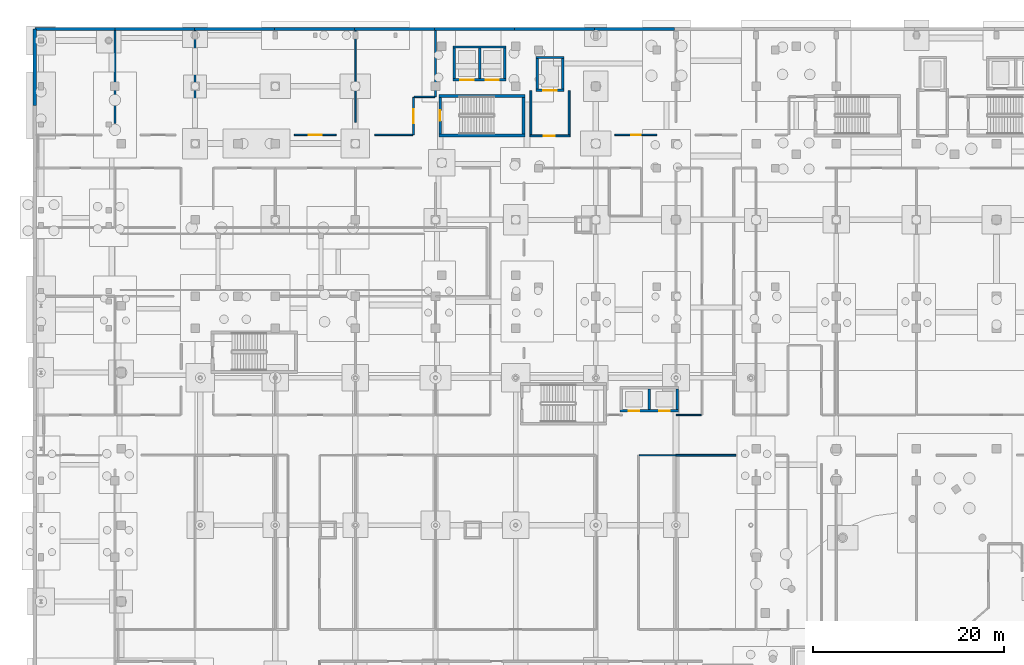
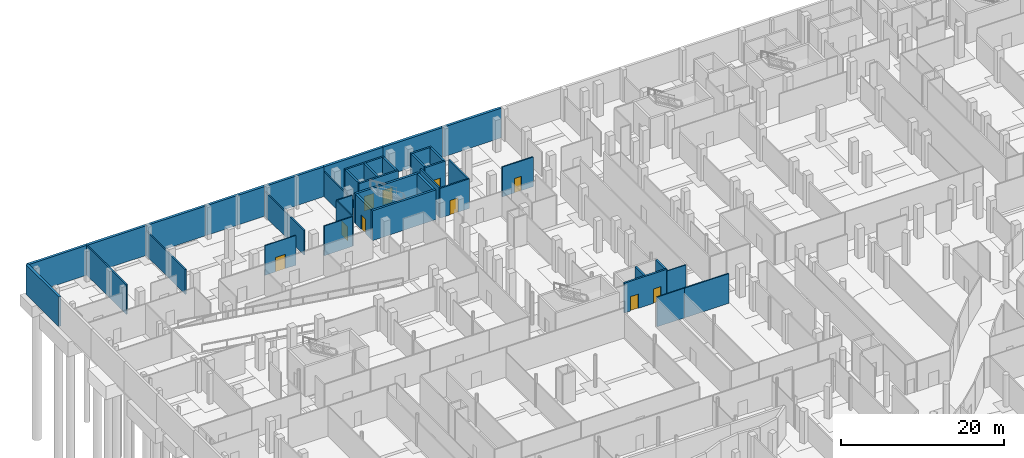
# One storey, part 32 of 45: 40 walls, 10 doors, 10 openings.
"""IFC4 building model written with IfcOpenShell, lengths in metres."""

from ifc_helpers import new_model, si_unit, direction, frame, frame_2d, origin, place, context, subcontext, project, spatial, rectangle, extrude, material, layer, layer_set, type_object, element, fill, save


model = new_model("IFC4")

# Units and contexts
model_context = context("Model", 3, precision=1e-05, world=origin(), true_north=direction((0.0, 1.0)))
body_context = subcontext(model_context, "Body", "Model", "MODEL_VIEW")
ifc_project = project(units=[si_unit("LENGTHUNIT", "METRE"), si_unit("AREAUNIT", "SQUARE_METRE"), si_unit("VOLUMEUNIT", "CUBIC_METRE"), si_unit("PLANEANGLEUNIT", "RADIAN"), si_unit("MASSUNIT", "GRAM", prefix="KILO")], contexts=[model_context])

# Site, building, storey
site_placement = place(None, origin())
site = spatial("IfcSite", under=ifc_project, at=site_placement, CompositionType="ELEMENT")
building_placement = place(site_placement, origin())
building = spatial("IfcBuilding", under=site, at=building_placement, Name="Selatvlak General Hospital", CompositionType="ELEMENT")
storey_placement = place(building_placement, frame((0.0, 0.0, -4.800048828125)))
storey = spatial("IfcBuildingStorey", under=building, at=storey_placement, Name="B1", CompositionType="ELEMENT", Elevation=-4.800048828125)

# Walls
ifc_material_1 = material(Name="Concrete C45/55", Category="concrete")
ifc_layer_1 = layer(ifc_material_1, 0.35009765625, Name="Concrete C45/55", Category="concrete")
ifc_layer_set_1 = layer_set([ifc_layer_1], Name="Concrete C45/55")
wall_type_1 = type_object("IfcWallType", Name="WALL-EW-05", PredefinedType="SHEAR", material=ifc_layer_set_1)
wall_1_placement = place(storey_placement, frame((6.0, 111.9990234375, 0.0), z_axis=(0.0, 0.0, 1.0), x_axis=(0.0, 1.0, 0.0)))
element("IfcWall", 1, at=wall_1_placement, inside=storey, type_object=wall_type_1, Name="B1 retaining wall 0008", PredefinedType="SHEAR", context=body_context, shape_type="SweptSolid", body=[
    extrude(rectangle(XDim=8.0, YDim=0.35009765625, at=frame_2d((4.0, 0.0))), origin(), (0.0, 0.0, 1.0), 4.449951171875),
])
wall_2_placement = place(storey_placement, frame((6.0, 119.9990234375, 0.0), z_axis=(0.0, 0.0, 1.0), x_axis=(1.0, 0.0, 0.0)))
element("IfcWall", 2, at=wall_2_placement, inside=storey, type_object=wall_type_1, Name="B1 retaining wall 0009", PredefinedType="SHEAR", context=body_context, shape_type="SweptSolid", body=[
    extrude(rectangle(XDim=8.381103515625, YDim=0.35009765625, at=frame_2d((4.1904296875, 0.0))), origin(), (0.0, 0.0, 1.0), 4.449951171875),
])
wall_3_placement = place(storey_placement, frame((14.381103515625, 119.9990234375, 0.0), z_axis=(0.0, 0.0, 1.0), x_axis=(1.0, 0.0, 0.0)))
element("IfcWall", 3, at=wall_3_placement, inside=storey, type_object=wall_type_1, Name="B1 retaining wall 0010", PredefinedType="SHEAR", context=body_context, shape_type="SweptSolid", body=[
    extrude(rectangle(XDim=8.380859375, YDim=0.35009765625, at=frame_2d((4.1904296875, 0.0))), origin(), (0.0, 0.0, 1.0), 4.449951171875),
])
wall_4_placement = place(storey_placement, frame((22.761962890625, 119.9990234375, 0.0), z_axis=(0.0, 0.0, 1.0), x_axis=(1.0, 0.0, 0.0)))
element("IfcWall", 4, at=wall_4_placement, inside=storey, type_object=wall_type_1, Name="B1 retaining wall 0011", PredefinedType="SHEAR", context=body_context, shape_type="SweptSolid", body=[
    extrude(rectangle(XDim=8.381103515625, YDim=0.35009765625, at=frame_2d((4.1904296875, 0.0))), origin(), (0.0, 0.0, 1.0), 4.449951171875),
])
wall_5_placement = place(storey_placement, frame((31.14306640625, 119.9990234375, 0.0), z_axis=(0.0, 0.0, 1.0), x_axis=(1.0, 0.0, 0.0)))
element("IfcWall", 5, at=wall_5_placement, inside=storey, type_object=wall_type_1, Name="B1 retaining wall 0012", PredefinedType="SHEAR", context=body_context, shape_type="SweptSolid", body=[
    extrude(rectangle(XDim=8.380859375, YDim=0.35009765625, at=frame_2d((4.1904296875, 0.0))), origin(), (0.0, 0.0, 1.0), 4.449951171875),
])
wall_6_placement = place(storey_placement, frame((39.52392578125, 119.9990234375, 0.0), z_axis=(0.0, 0.0, 1.0), x_axis=(1.0, 0.0, 0.0)))
element("IfcWall", 6, at=wall_6_placement, inside=storey, type_object=wall_type_1, Name="B1 retaining wall 0013", PredefinedType="SHEAR", context=body_context, shape_type="SweptSolid", body=[
    extrude(rectangle(XDim=8.381103515625, YDim=0.35009765625, at=frame_2d((4.1904296875, 0.0))), origin(), (0.0, 0.0, 1.0), 4.449951171875),
])
wall_7_placement = place(storey_placement, frame((47.905029296875, 119.9990234375, 0.0), z_axis=(0.0, 0.0, 1.0), x_axis=(1.0, 0.0, 0.0)))
element("IfcWall", 7, at=wall_7_placement, inside=storey, type_object=wall_type_1, Name="B1 retaining wall 0014", PredefinedType="SHEAR", context=body_context, shape_type="SweptSolid", body=[
    extrude(rectangle(XDim=8.3798828125, YDim=0.35009765625, at=frame_2d((4.18994140625, 0.0))), origin(), (0.0, 0.0, 1.0), 4.449951171875),
])
for number, where, z_axis, x_axis, name in (
    (8, (56.284912109375, 119.9990234375, 0.0), (0.0, 0.0, 1.0), (1.0, 0.0, 0.0), "B1 retaining wall 0015"),
    (9, (64.666015625, 119.9990234375, 0.0), (0.0, 0.0, 1.0), (1.0, 0.0, 0.0), "B1 retaining wall 0016"),
):
    element("IfcWall", number, at=place(storey_placement, frame(where, z_axis=z_axis, x_axis=x_axis)), inside=storey, type_object=wall_type_1, Name=name, PredefinedType="SHEAR", context=body_context, shape_type="SweptSolid", body=[
        extrude(rectangle(XDim=8.381103515625, YDim=0.35009765625, at=frame_2d((4.1904296875, 0.0))), origin(), (0.0, 0.0, 1.0), 4.449951171875),
    ])

# Wall, opening, door
ifc_material_2 = material(Name="Concrete C40/50", Category="concrete")
ifc_layer_2 = layer(ifc_material_2, 0.199951171875, Name="Concrete C40/50", Category="concrete")
ifc_layer_set_2 = layer_set([ifc_layer_2], Name="Concrete C40/50")
wall_type_2 = type_object("IfcWallType", Name="WALL-IW-02", PredefinedType="SOLIDWALL", material=ifc_layer_set_2)
wall_8_placement = place(storey_placement, frame((57.89990234375, 108.800048828125, 0.0), z_axis=(0.0, 0.0, 1.0), x_axis=(1.0, 0.0, 0.0)))
wall_8 = element("IfcWall", 10, at=wall_8_placement, inside=storey, type_object=wall_type_2, Name="Firefighting lobby C1 wall B1 S", PredefinedType="SOLIDWALL", context=body_context, shape_type="SweptSolid", body=[
    extrude(rectangle(XDim=4.2001953125, YDim=0.199951171875, at=frame_2d((2.10009765625, 0.0))), origin(), (0.0, 0.0, 1.0), 4.449951171875),
])
opening_1_placement = place(wall_8_placement, frame((1.425048828125, 0.0, 0.0)))
opening_1 = element("IfcOpeningElement", 11, at=opening_1_placement, cuts=wall_8, Name="Opening D-06", PredefinedType="OPENING", context=body_context, shape_type="SweptSolid", body=[
    extrude(rectangle(XDim=1.14990234375, YDim=2.14990234375, at=frame_2d((0.574951171875, 1.074951171875))), frame((0.0, 0.10986328125, 0.0), z_axis=(0.0, -1.0, 0.0), x_axis=(1.0, 0.0, 0.0)), (0.0, 0.0, 1.0), 0.219970703125),
])
ifc_material_3 = material(Name="Firefighting lobby fire door")
door_type_1 = type_object("IfcDoorType", Name="DOOR-D-06", OperationType="NOTDEFINED", PredefinedType="DOOR", material=ifc_material_3)
door_1_placement = place(opening_1_placement, origin())
door_1 = element("IfcDoor", 12, at=door_1_placement, inside=storey, type_object=door_type_1, Name="Firefighting lobby C1 door on B1", OperationType="SINGLE_SWING_RIGHT", OverallHeight=2.14990234375, OverallWidth=1.14990234375, PredefinedType="DOOR", context=body_context, shape_type="SweptSolid", body=[
    extrude(rectangle(XDim=1.14990234375, YDim=2.14990234375, at=frame_2d((0.574951171875, 1.074951171875))), frame((0.0, 0.02490234375, 0.0), z_axis=(0.0, -1.0, 0.0), x_axis=(1.0, 0.0, 0.0)), (0.0, 0.0, 1.0), 0.050048828125),
])
fill(opening_1, door_1)

# Walls
for number, where, z_axis, x_axis, name in (
    (13, (62.0, 108.89990234375, 0.0), (0.0, 0.0, 1.0), (0.0, 1.0, 0.0), "Firefighting lobby C1 wall B1 E"),
    (14, (58.0, 113.550048828125, 0.0), (0.0, 0.0, 1.0), (0.0, -1.0, 0.0), "Firefighting lobby C1 wall B1 W"),
):
    element("IfcWall", number, at=place(storey_placement, frame(where, z_axis=z_axis, x_axis=x_axis)), inside=storey, type_object=wall_type_2, Name=name, PredefinedType="SOLIDWALL", context=body_context, shape_type="SweptSolid", body=[
        extrude(rectangle(XDim=4.650146484375, YDim=0.199951171875, at=frame_2d((2.3251953125, 0.0))), origin(), (0.0, 0.0, 1.0), 4.449951171875),
    ])
ifc_material_4 = material(Name="Acoustic gypsum stud partition")
ifc_layer_3 = layer(ifc_material_4, 0.179931640625, Name="Acoustic gypsum stud partition")
ifc_layer_set_3 = layer_set([ifc_layer_3], Name="Acoustic gypsum stud partition")
wall_type_3 = type_object("IfcWallType", Name="WALL-PT-01", PredefinedType="PARTITIONING", material=ifc_layer_set_3)
wall_9_placement = place(storey_placement, frame((73.199951171875, 75.340087890625, 0.0), z_axis=(0.0, 0.0, 1.0), x_axis=(1.0, 0.0, 0.0)))
element("IfcWall", 15, at=wall_9_placement, inside=storey, type_object=wall_type_3, Name="B1 clinical partition PT-B1-0114", PredefinedType="PARTITIONING", context=body_context, shape_type="SweptSolid", body=[
    extrude(rectangle(XDim=6.2919921875, YDim=0.179931640625, at=frame_2d((3.14599609375, 0.0))), origin(), (0.0, 0.0, 1.0), 4.449951171875),
])
wall_10_placement = place(storey_placement, frame((14.39990234375, 119.826904296875, 0.0), z_axis=(0.0, 0.0, 1.0), x_axis=(0.0, -1.0, 0.0)))
element("IfcWall", 16, at=wall_10_placement, inside=storey, type_object=wall_type_3, Name="B1 clinical partition PT-B1-0325", PredefinedType="PARTITIONING", context=body_context, shape_type="SweptSolid", body=[
    extrude(rectangle(XDim=9.71484375, YDim=0.179931640625, at=frame_2d((4.857421875, 0.0))), origin(), (0.0, 0.0, 1.0), 4.449951171875),
])
for number, where, z_axis, x_axis, name in (
    (17, (22.800048828125, 119.826904296875, 0.0), (0.0, 0.0, 1.0), (0.0, -1.0, 0.0), "B1 clinical partition PT-B1-0327"),
    (18, (39.60009765625, 119.826904296875, 0.0), (0.0, 0.0, 1.0), (0.0, -1.0, 0.0), "B1 clinical partition PT-B1-0330"),
):
    element("IfcWall", number, at=place(storey_placement, frame(where, z_axis=z_axis, x_axis=x_axis)), inside=storey, type_object=wall_type_3, Name=name, PredefinedType="PARTITIONING", context=body_context, shape_type="SweptSolid", body=[
        extrude(rectangle(XDim=9.616943359375, YDim=0.179931640625, at=frame_2d((4.80859375, 0.0))), origin(), (0.0, 0.0, 1.0), 3.699951171875),
    ])
wall_11_placement = place(storey_placement, frame((48.0, 119.826904296875, 0.0), z_axis=(0.0, 0.0, 1.0), x_axis=(0.0, -1.0, 0.0)))
element("IfcWall", 19, at=wall_11_placement, inside=storey, type_object=wall_type_3, Name="B1 clinical partition PT-B1-0333", PredefinedType="PARTITIONING", context=body_context, shape_type="SweptSolid", body=[
    extrude(rectangle(XDim=6.927001953125, YDim=0.179931640625, at=frame_2d((3.46337890625, 0.0))), origin(), (0.0, 0.0, 1.0), 3.699951171875),
])

# Wall, opening, door
ifc_layer_4 = layer(ifc_material_4, 0.1650390625, Name="Acoustic gypsum stud partition")
ifc_layer_set_4 = layer_set([ifc_layer_4], Name="Acoustic gypsum stud partition")
wall_type_4 = type_object("IfcWallType", Name="WALL-PT-02", PredefinedType="PARTITIONING", material=ifc_layer_set_4)
wall_12_placement = place(storey_placement, frame((45.68994140625, 112.840087890625, 0.0), z_axis=(0.0, 0.0, 1.0), x_axis=(0.0, -1.0, 0.0)))
wall_12 = element("IfcWall", 20, at=wall_12_placement, inside=storey, type_object=wall_type_4, Name="B1 clinical partition PT-B1-0331", PredefinedType="PARTITIONING", context=body_context, shape_type="SweptSolid", body=[
    extrude(rectangle(XDim=3.93017578125, YDim=0.1650390625, at=frame_2d((1.965087890625, 0.0))), origin(), (0.0, 0.0, 1.0), 4.449951171875),
])
opening_2_placement = place(wall_12_placement, frame((1.239990234375, 0.0, 0.0)))
opening_2 = element("IfcOpeningElement", 21, at=opening_2_placement, cuts=wall_12, Name="Opening D-12", PredefinedType="OPENING", context=body_context, shape_type="SweptSolid", body=[
    extrude(rectangle(XDim=1.449951171875, YDim=2.14990234375, at=frame_2d((0.72509765625, 1.074951171875))), frame((0.0, 0.092529296875, 0.0), z_axis=(0.0, -1.0, 0.0), x_axis=(1.0, 0.0, 0.0)), (0.0, 0.0, 1.0), 0.18505859375),
])
ifc_material_5 = material(Name="Isolation anteroom door")
door_type_2 = type_object("IfcDoorType", Name="DOOR-D-12", OperationType="NOTDEFINED", PredefinedType="DOOR", material=ifc_material_5)
door_2_placement = place(opening_2_placement, origin())
door_2 = element("IfcDoor", 22, at=door_2_placement, inside=storey, type_object=door_type_2, Name="B1 Medical Gas Manifold Plant 78 door", OperationType="SINGLE_SWING_LEFT", OverallHeight=2.14990234375, OverallWidth=1.449951171875, PredefinedType="DOOR", context=body_context, shape_type="SweptSolid", body=[
    extrude(rectangle(XDim=1.449951171875, YDim=2.14990234375, at=frame_2d((0.72509765625, 1.074951171875))), frame((0.0, 0.02490234375, 0.0), z_axis=(0.0, -1.0, 0.0), x_axis=(1.0, 0.0, 0.0)), (0.0, 0.0, 1.0), 0.050048828125),
])
fill(opening_2, door_2)

# Wall
wall_13_placement = place(storey_placement, frame((47.9140625, 112.89990234375, 0.0), z_axis=(0.0, 0.0, 1.0), x_axis=(-1.0, 0.0, 0.0)))
element("IfcWall", 23, at=wall_13_placement, inside=storey, type_object=wall_type_4, Name="B1 clinical partition PT-B1-0334", PredefinedType="PARTITIONING", context=body_context, shape_type="SweptSolid", body=[
    extrude(rectangle(XDim=2.1640625, YDim=0.1650390625, at=frame_2d((1.08203125, 0.0))), origin(), (0.0, 0.0, 1.0), 4.449951171875),
])

# Wall, opening, door
wall_14_placement = place(storey_placement, frame((71.18896484375, 108.909912109375, 0.0), z_axis=(0.0, 0.0, 1.0), x_axis=(-1.0, 0.0, 0.0)))
wall_14 = element("IfcWall", 24, at=wall_14_placement, inside=storey, type_object=wall_type_4, Name="B1 clinical partition PT-B1-0336", PredefinedType="PARTITIONING", context=body_context, shape_type="SweptSolid", body=[
    extrude(rectangle(XDim=4.3779296875, YDim=0.1650390625, at=frame_2d((2.18896484375, 0.0))), origin(), (0.0, 0.0, 1.0), 4.449951171875),
])
opening_3_placement = place(wall_14_placement, frame((1.68896484375, 0.0, 0.0)))
opening_3 = element("IfcOpeningElement", 25, at=opening_3_placement, cuts=wall_14, Name="Opening D-21", PredefinedType="OPENING", context=body_context, shape_type="SweptSolid", body=[
    extrude(rectangle(XDim=1.0, YDim=2.14990234375, at=frame_2d((0.5, 1.074951171875))), frame((0.0, 0.092529296875, 0.0), z_axis=(0.0, -1.0, 0.0), x_axis=(1.0, 0.0, 0.0)), (0.0, 0.0, 1.0), 0.18505859375),
])
ifc_material_6 = material(Name="Laboratory fire door")
door_type_3 = type_object("IfcDoorType", Name="DOOR-D-21", OperationType="NOTDEFINED", PredefinedType="DOOR", material=ifc_material_6)
door_3_placement = place(opening_3_placement, origin())
door_3 = element("IfcDoor", 26, at=door_3_placement, inside=storey, type_object=door_type_3, Name="B1 Hospital Linen Laundry 80 door", OperationType="SINGLE_SWING_RIGHT", OverallHeight=2.14990234375, OverallWidth=1.0, PredefinedType="DOOR", context=body_context, shape_type="SweptSolid", body=[
    extrude(rectangle(XDim=1.0, YDim=2.14990234375, at=frame_2d((0.5, 1.074951171875))), frame((0.0, 0.02490234375, 0.0), z_axis=(0.0, -1.0, 0.0), x_axis=(1.0, 0.0, 0.0)), (0.0, 0.0, 1.0), 0.050048828125),
])
fill(opening_3, door_3)

# Walls
ifc_material_7 = material(Name="Moisture-resistant clinical partition")
ifc_layer_5 = layer(ifc_material_7, 0.135009765625, Name="Moisture-resistant clinical partition")
ifc_layer_set_5 = layer_set([ifc_layer_5], Name="Moisture-resistant clinical partition")
wall_type_5 = type_object("IfcWallType", Name="WALL-PT-04", PredefinedType="PARTITIONING", material=ifc_layer_set_5)
wall_15_placement = place(storey_placement, frame((69.339111328125, 75.340087890625, 0.0), z_axis=(0.0, 0.0, 1.0), x_axis=(1.0, 0.0, 0.0)))
element("IfcWall", 27, at=wall_15_placement, inside=storey, type_object=wall_type_5, Name="B1 clinical partition PT-B1-0098", PredefinedType="PARTITIONING", context=body_context, shape_type="SweptSolid", body=[
    extrude(rectangle(XDim=3.86083984375, YDim=0.135009765625, at=frame_2d((1.930419921875, 0.0))), origin(), (0.0, 0.0, 1.0), 4.449951171875),
])
wall_16_placement = place(storey_placement, frame((75.861083984375, 79.56005859375, 0.0), z_axis=(0.0, 0.0, 1.0), x_axis=(-1.0, 0.0, 0.0)))
element("IfcWall", 28, at=wall_16_placement, inside=storey, type_object=wall_type_5, Name="B1 clinical partition PT-B1-0275", PredefinedType="PARTITIONING", context=body_context, shape_type="SweptSolid", body=[
    extrude(rectangle(XDim=2.651123046875, YDim=0.135009765625, at=frame_2d((1.32568359375, 0.0))), origin(), (0.0, 0.0, 1.0), 4.449951171875),
])

# Wall, opening, door
wall_17_placement = place(storey_placement, frame((37.589111328125, 108.909912109375, 0.0), z_axis=(0.0, 0.0, 1.0), x_axis=(-1.0, 0.0, 0.0)))
wall_17 = element("IfcWall", 29, at=wall_17_placement, inside=storey, type_object=wall_type_5, Name="B1 clinical partition PT-B1-0329", PredefinedType="PARTITIONING", context=body_context, shape_type="SweptSolid", body=[
    extrude(rectangle(XDim=4.378173828125, YDim=0.135009765625, at=frame_2d((2.18896484375, 0.0))), origin(), (0.0, 0.0, 1.0), 4.449951171875),
])
opening_4_placement = place(wall_17_placement, frame((1.489013671875, 0.0, 0.0)))
opening_4 = element("IfcOpeningElement", 30, at=opening_4_placement, cuts=wall_17, Name="Opening D-11", PredefinedType="OPENING", context=body_context, shape_type="SweptSolid", body=[
    extrude(rectangle(XDim=1.39990234375, YDim=2.14990234375, at=frame_2d((0.699951171875, 1.074951171875))), frame((0.0, 0.077392578125, 0.0), z_axis=(0.0, -1.0, 0.0), x_axis=(1.0, 0.0, 0.0)), (0.0, 0.0, 1.0), 0.155029296875),
])
ifc_material_8 = material(Name="Inpatient suite bed door")
door_type_4 = type_object("IfcDoorType", Name="DOOR-D-11", OperationType="NOTDEFINED", PredefinedType="DOOR", material=ifc_material_8)
door_4_placement = place(opening_4_placement, origin())
door_4 = element("IfcDoor", 31, at=door_4_placement, inside=storey, type_object=door_type_4, Name="B1 Standby Generator Plant 77 door", OperationType="SINGLE_SWING_RIGHT", OverallHeight=2.14990234375, OverallWidth=1.39990234375, PredefinedType="DOOR", context=body_context, shape_type="SweptSolid", body=[
    extrude(rectangle(XDim=1.39990234375, YDim=2.14990234375, at=frame_2d((0.699951171875, 1.074951171875))), frame((0.0, 0.02490234375, 0.0), z_axis=(0.0, -1.0, 0.0), x_axis=(1.0, 0.0, 0.0)), (0.0, 0.0, 1.0), 0.050048828125),
])
fill(opening_4, door_4)

# Walls
wall_18_placement = place(storey_placement, frame((45.611083984375, 108.909912109375, 0.0), z_axis=(0.0, 0.0, 1.0), x_axis=(-1.0, 0.0, 0.0)))
element("IfcWall", 32, at=wall_18_placement, inside=storey, type_object=wall_type_5, Name="B1 clinical partition PT-B1-0332", PredefinedType="PARTITIONING", context=body_context, shape_type="SweptSolid", body=[
    extrude(rectangle(XDim=4.0, YDim=0.135009765625, at=frame_2d((2.0, 0.0))), origin(), (0.0, 0.0, 1.0), 4.449951171875),
])
ifc_layer_6 = layer(ifc_material_1, 0.300048828125, Name="Concrete C45/55", Category="concrete")
ifc_layer_set_6 = layer_set([ifc_layer_6], Name="Concrete C45/55")
wall_type_6 = type_object("IfcWallType", Name="WALL-SW-02", PredefinedType="SHEAR", material=ifc_layer_set_6)
wall_19_placement = place(storey_placement, frame((48.340087890625, 108.840087890625, 0.0), z_axis=(0.0, 0.0, 1.0), x_axis=(1.0, 0.0, 0.0)))
element("IfcWall", 33, at=wall_19_placement, inside=storey, type_object=wall_type_6, Name="ST-01 core shear wall B1 S", PredefinedType="SHEAR", context=body_context, shape_type="SweptSolid", body=[
    extrude(rectangle(XDim=9.02001953125, YDim=0.300048828125, at=frame_2d((4.510009765625, 0.0))), origin(), (0.0, 0.0, 1.0), 4.449951171875),
])
wall_20_placement = place(storey_placement, frame((57.2099609375, 108.989990234375, 0.0), z_axis=(0.0, 0.0, 1.0), x_axis=(0.0, 1.0, 0.0)))
element("IfcWall", 34, at=wall_20_placement, inside=storey, type_object=wall_type_6, Name="ST-01 core shear wall B1 E", PredefinedType="SHEAR", context=body_context, shape_type="SweptSolid", body=[
    extrude(rectangle(XDim=3.860107421875, YDim=0.300048828125, at=frame_2d((1.93017578125, 0.0))), origin(), (0.0, 0.0, 1.0), 4.449951171875),
])
wall_21_placement = place(storey_placement, frame((57.360107421875, 113.0, 0.0), z_axis=(0.0, 0.0, 1.0), x_axis=(-1.0, 0.0, 0.0)))
element("IfcWall", 35, at=wall_21_placement, inside=storey, type_object=wall_type_6, Name="ST-01 core shear wall B1 N", PredefinedType="SHEAR", context=body_context, shape_type="SweptSolid", body=[
    extrude(rectangle(XDim=9.02001953125, YDim=0.300048828125, at=frame_2d((4.510009765625, 0.0))), origin(), (0.0, 0.0, 1.0), 4.449951171875),
])

# Wall, opening, door
wall_22_placement = place(storey_placement, frame((48.489990234375, 112.85009765625, 0.0), z_axis=(0.0, 0.0, 1.0), x_axis=(0.0, -1.0, 0.0)))
wall_22 = element("IfcWall", 36, at=wall_22_placement, inside=storey, type_object=wall_type_6, Name="ST-01 core shear wall B1 W", PredefinedType="SHEAR", context=body_context, shape_type="SweptSolid", body=[
    extrude(rectangle(XDim=3.860107421875, YDim=0.300048828125, at=frame_2d((1.93017578125, 0.0))), origin(), (0.0, 0.0, 1.0), 4.449951171875),
])
opening_5_placement = place(wall_22_placement, frame((1.3798828125, 0.0, 0.0)))
opening_5 = element("IfcOpeningElement", 37, at=opening_5_placement, cuts=wall_22, Name="Opening D-05", PredefinedType="OPENING", context=body_context, shape_type="SweptSolid", body=[
    extrude(rectangle(XDim=1.10009765625, YDim=2.14990234375, at=frame_2d((0.550048828125, 1.074951171875))), frame((0.0, 0.159912109375, 0.0), z_axis=(0.0, -1.0, 0.0), x_axis=(1.0, 0.0, 0.0)), (0.0, 0.0, 1.0), 0.320068359375),
])
ifc_material_9 = material(Name="Protected stair fire door")
door_type_5 = type_object("IfcDoorType", Name="DOOR-D-05", OperationType="NOTDEFINED", PredefinedType="DOOR", material=ifc_material_9)
door_5_placement = place(opening_5_placement, origin())
door_5 = element("IfcDoor", 38, at=door_5_placement, inside=storey, type_object=door_type_5, Name="ST-01 protected stair door on B1", OperationType="SINGLE_SWING_LEFT", OverallHeight=2.14990234375, OverallWidth=1.10009765625, PredefinedType="DOOR", context=body_context, shape_type="SweptSolid", body=[
    extrude(rectangle(XDim=1.10009765625, YDim=2.14990234375, at=frame_2d((0.550048828125, 1.074951171875))), frame((0.0, 0.02490234375, 0.0), z_axis=(0.0, -1.0, 0.0), x_axis=(1.0, 0.0, 0.0)), (0.0, 0.0, 1.0), 0.050048828125),
])
fill(opening_5, door_5)

# Wall, openings, doors
ifc_layer_7 = layer(ifc_material_2, 0.25, Name="Concrete C40/50", Category="concrete")
ifc_layer_set_7 = layer_set([ifc_layer_7], Name="Concrete C40/50")
wall_type_7 = type_object("IfcWallType", Name="WALL-SW-03", PredefinedType="SHEAR", material=ifc_layer_set_7)
wall_23_placement = place(storey_placement, frame((67.35009765625, 79.97509765625, 0.0), z_axis=(0.0, 0.0, 1.0), x_axis=(1.0, 0.0, 0.0)))
wall_23 = element("IfcWall", 39, at=wall_23_placement, inside=storey, type_object=wall_type_7, Name="Lift LP-01-LP-02 shaft wall B1 S", PredefinedType="SHEAR", context=body_context, shape_type="SweptSolid", body=[
    extrude(rectangle(XDim=6.099853515625, YDim=0.25, at=frame_2d((3.0498046875, 0.0))), origin(), (0.0, 0.0, 1.0), 4.449951171875),
])
opening_6_placement = place(wall_23_placement, frame((0.89990234375, 0.0, 0.0)))
opening_6 = element("IfcOpeningElement", 40, at=opening_6_placement, cuts=wall_23, Name="Opening LD-P1", PredefinedType="OPENING", context=body_context, shape_type="SweptSolid", body=[
    extrude(rectangle(XDim=1.10009765625, YDim=2.14990234375, at=frame_2d((0.550048828125, 1.074951171875))), frame((0.0, 0.135009765625, 0.0), z_axis=(0.0, -1.0, 0.0), x_axis=(1.0, 0.0, 0.0)), (0.0, 0.0, 1.0), 0.27001953125),
])
opening_7_placement = place(wall_23_placement, frame((4.10009765625, 0.0, 0.0)))
opening_7 = element("IfcOpeningElement", 41, at=opening_7_placement, cuts=wall_23, Name="Opening LD-P1", PredefinedType="OPENING", context=body_context, shape_type="SweptSolid", body=[
    extrude(rectangle(XDim=1.10009765625, YDim=2.14990234375, at=frame_2d((0.550048828125, 1.074951171875))), frame((0.0, 0.135009765625, 0.0), z_axis=(0.0, -1.0, 0.0), x_axis=(1.0, 0.0, 0.0)), (0.0, 0.0, 1.0), 0.27001953125),
])
ifc_material_10 = material(Name="Stainless steel passenger lift landing door", Category="steel")
door_type_6 = type_object("IfcDoorType", Name="DOOR-LD-P1", OperationType="DOUBLE_DOOR_SLIDING", PredefinedType="DOOR", material=ifc_material_10)
door_6_placement = place(opening_6_placement, origin())
door_6 = element("IfcDoor", 42, at=door_6_placement, inside=storey, type_object=door_type_6, Name="Lift LP-01 sliding landing door on B1", OperationType="DOUBLE_DOOR_SLIDING", OverallHeight=2.14990234375, OverallWidth=1.10009765625, PredefinedType="DOOR", context=body_context, shape_type="SweptSolid", body=[
    extrude(rectangle(XDim=1.10009765625, YDim=2.14990234375, at=frame_2d((0.550048828125, 1.074951171875))), frame((0.0, 0.02490234375, 0.0), z_axis=(0.0, -1.0, 0.0), x_axis=(1.0, 0.0, 0.0)), (0.0, 0.0, 1.0), 0.050048828125),
])
fill(opening_6, door_6)
door_7_placement = place(opening_7_placement, origin())
door_7 = element("IfcDoor", 43, at=door_7_placement, inside=storey, type_object=door_type_6, Name="Lift LP-02 sliding landing door on B1", OperationType="DOUBLE_DOOR_SLIDING", OverallHeight=2.14990234375, OverallWidth=1.10009765625, PredefinedType="DOOR", context=body_context, shape_type="SweptSolid", body=[
    extrude(rectangle(XDim=1.10009765625, YDim=2.14990234375, at=frame_2d((0.550048828125, 1.074951171875))), frame((0.0, 0.02490234375, 0.0), z_axis=(0.0, -1.0, 0.0), x_axis=(1.0, 0.0, 0.0)), (0.0, 0.0, 1.0), 0.050048828125),
])
fill(opening_7, door_7)

# Walls
for number, where, z_axis, x_axis, name in (
    (44, (73.324951171875, 80.10009765625, 0.0), (0.0, 0.0, 1.0), (0.0, 1.0, 0.0), "Lift LP-01-LP-02 shaft wall B1 E"),
    (45, (70.39990234375, 80.10009765625, 0.0), (0.0, 0.0, 1.0), (0.0, 1.0, 0.0), "Lift LP-01-LP-02 dividing shaft wall B1"),
):
    element("IfcWall", number, at=place(storey_placement, frame(where, z_axis=z_axis, x_axis=x_axis)), inside=storey, type_object=wall_type_7, Name=name, PredefinedType="SHEAR", context=body_context, shape_type="SweptSolid", body=[
        extrude(rectangle(XDim=2.199951171875, YDim=0.25, at=frame_2d((1.10009765625, 0.0))), origin(), (0.0, 0.0, 1.0), 4.449951171875),
    ])

# Wall, opening, door
wall_24_placement = place(storey_placement, frame((58.550048828125, 113.574951171875, 0.0), z_axis=(0.0, 0.0, 1.0), x_axis=(1.0, 0.0, 0.0)))
wall_24 = element("IfcWall", 46, at=wall_24_placement, inside=storey, type_object=wall_type_7, Name="Lift LF-01 shaft wall B1 S", PredefinedType="SHEAR", context=body_context, shape_type="SweptSolid", body=[
    extrude(rectangle(XDim=2.89990234375, YDim=0.25, at=frame_2d((1.449951171875, 0.0))), origin(), (0.0, 0.0, 1.0), 4.449951171875),
])
opening_8_placement = place(wall_24_placement, frame((0.75, 0.0, 0.0)))
opening_8 = element("IfcOpeningElement", 47, at=opening_8_placement, cuts=wall_24, Name="Opening LD-F1", PredefinedType="OPENING", context=body_context, shape_type="SweptSolid", body=[
    extrude(rectangle(XDim=1.39990234375, YDim=2.14990234375, at=frame_2d((0.699951171875, 1.074951171875))), frame((0.0, 0.135009765625, 0.0), z_axis=(0.0, -1.0, 0.0), x_axis=(1.0, 0.0, 0.0)), (0.0, 0.0, 1.0), 0.27001953125),
])
ifc_material_11 = material(Name="Stainless steel fire lift landing door", Category="steel")
door_type_7 = type_object("IfcDoorType", Name="DOOR-LD-F1", OperationType="DOUBLE_DOOR_SLIDING", PredefinedType="DOOR", material=ifc_material_11)
door_8_placement = place(opening_8_placement, origin())
door_8 = element("IfcDoor", 48, at=door_8_placement, inside=storey, type_object=door_type_7, Name="Lift LF-01 sliding landing door on B1", OperationType="DOUBLE_DOOR_SLIDING", OverallHeight=2.14990234375, OverallWidth=1.39990234375, PredefinedType="DOOR", context=body_context, shape_type="SweptSolid", body=[
    extrude(rectangle(XDim=1.39990234375, YDim=2.14990234375, at=frame_2d((0.699951171875, 1.074951171875))), frame((0.0, 0.02490234375, 0.0), z_axis=(0.0, -1.0, 0.0), x_axis=(1.0, 0.0, 0.0)), (0.0, 0.0, 1.0), 0.050048828125),
])
fill(opening_8, door_8)

# Walls
wall_25_placement = place(storey_placement, frame((61.324951171875, 113.699951171875, 0.0), z_axis=(0.0, 0.0, 1.0), x_axis=(0.0, 1.0, 0.0)))
element("IfcWall", 49, at=wall_25_placement, inside=storey, type_object=wall_type_7, Name="Lift LF-01 shaft wall B1 E", PredefinedType="SHEAR", context=body_context, shape_type="SweptSolid", body=[
    extrude(rectangle(XDim=3.199951171875, YDim=0.25, at=frame_2d((1.60009765625, 0.0))), origin(), (0.0, 0.0, 1.0), 4.449951171875),
])
wall_26_placement = place(storey_placement, frame((61.449951171875, 117.02490234375, 0.0), z_axis=(0.0, 0.0, 1.0), x_axis=(-1.0, 0.0, 0.0)))
element("IfcWall", 50, at=wall_26_placement, inside=storey, type_object=wall_type_7, Name="Lift LF-01 shaft wall B1 N", PredefinedType="SHEAR", context=body_context, shape_type="SweptSolid", body=[
    extrude(rectangle(XDim=2.89990234375, YDim=0.25, at=frame_2d((1.449951171875, 0.0))), origin(), (0.0, 0.0, 1.0), 4.449951171875),
])
wall_27_placement = place(storey_placement, frame((58.675048828125, 116.89990234375, 0.0), z_axis=(0.0, 0.0, 1.0), x_axis=(0.0, -1.0, 0.0)))
element("IfcWall", 51, at=wall_27_placement, inside=storey, type_object=wall_type_7, Name="Lift LF-01 shaft wall B1 W", PredefinedType="SHEAR", context=body_context, shape_type="SweptSolid", body=[
    extrude(rectangle(XDim=3.199951171875, YDim=0.25, at=frame_2d((1.60009765625, 0.0))), origin(), (0.0, 0.0, 1.0), 4.449951171875),
])

# Wall, openings, doors
wall_28_placement = place(storey_placement, frame((49.85009765625, 114.675048828125, 0.0), z_axis=(0.0, 0.0, 1.0), x_axis=(1.0, 0.0, 0.0)))
wall_28 = element("IfcWall", 52, at=wall_28_placement, inside=storey, type_object=wall_type_7, Name="Lift LB-01-LB-02 shaft wall B1 S", PredefinedType="SHEAR", context=body_context, shape_type="SweptSolid", body=[
    extrude(rectangle(XDim=5.5498046875, YDim=0.25, at=frame_2d((2.77490234375, 0.0))), origin(), (0.0, 0.0, 1.0), 4.449951171875),
])
opening_9_placement = place(wall_28_placement, frame((0.75, 0.0, 0.0)))
opening_9 = element("IfcOpeningElement", 53, at=opening_9_placement, cuts=wall_28, Name="Opening LD-B1", PredefinedType="OPENING", context=body_context, shape_type="SweptSolid", body=[
    extrude(rectangle(XDim=1.39990234375, YDim=2.199951171875, at=frame_2d((0.699951171875, 1.10009765625))), frame((0.0, 0.135009765625, 0.0), z_axis=(0.0, -1.0, 0.0), x_axis=(1.0, 0.0, 0.0)), (0.0, 0.0, 1.0), 0.27001953125),
])
opening_10_placement = place(wall_28_placement, frame((3.39990234375, 0.0, 0.0)))
opening_10 = element("IfcOpeningElement", 54, at=opening_10_placement, cuts=wall_28, Name="Opening LD-B1", PredefinedType="OPENING", context=body_context, shape_type="SweptSolid", body=[
    extrude(rectangle(XDim=1.39990234375, YDim=2.199951171875, at=frame_2d((0.699951171875, 1.10009765625))), frame((0.0, 0.135009765625, 0.0), z_axis=(0.0, -1.0, 0.0), x_axis=(1.0, 0.0, 0.0)), (0.0, 0.0, 1.0), 0.27001953125),
])
ifc_material_12 = material(Name="Stainless steel stretcher lift landing door", Category="steel")
door_type_8 = type_object("IfcDoorType", Name="DOOR-LD-B1", OperationType="DOUBLE_DOOR_SLIDING", PredefinedType="DOOR", material=ifc_material_12)
door_9_placement = place(opening_9_placement, origin())
door_9 = element("IfcDoor", 55, at=door_9_placement, inside=storey, type_object=door_type_8, Name="Lift LB-01 sliding landing door on B1", OperationType="DOUBLE_DOOR_SLIDING", OverallHeight=2.199951171875, OverallWidth=1.39990234375, PredefinedType="DOOR", context=body_context, shape_type="SweptSolid", body=[
    extrude(rectangle(XDim=1.39990234375, YDim=2.199951171875, at=frame_2d((0.699951171875, 1.10009765625))), frame((0.0, 0.02490234375, 0.0), z_axis=(0.0, -1.0, 0.0), x_axis=(1.0, 0.0, 0.0)), (0.0, 0.0, 1.0), 0.050048828125),
])
fill(opening_9, door_9)
door_10_placement = place(opening_10_placement, origin())
door_10 = element("IfcDoor", 56, at=door_10_placement, inside=storey, type_object=door_type_8, Name="Lift LB-02 sliding landing door on B1", OperationType="DOUBLE_DOOR_SLIDING", OverallHeight=2.199951171875, OverallWidth=1.39990234375, PredefinedType="DOOR", context=body_context, shape_type="SweptSolid", body=[
    extrude(rectangle(XDim=1.39990234375, YDim=2.199951171875, at=frame_2d((0.699951171875, 1.10009765625))), frame((0.0, 0.02490234375, 0.0), z_axis=(0.0, -1.0, 0.0), x_axis=(1.0, 0.0, 0.0)), (0.0, 0.0, 1.0), 0.050048828125),
])
fill(opening_10, door_10)

# Walls
wall_29_placement = place(storey_placement, frame((55.27490234375, 114.800048828125, 0.0), z_axis=(0.0, 0.0, 1.0), x_axis=(0.0, 1.0, 0.0)))
element("IfcWall", 57, at=wall_29_placement, inside=storey, type_object=wall_type_7, Name="Lift LB-01-LB-02 shaft wall B1 E", PredefinedType="SHEAR", context=body_context, shape_type="SweptSolid", body=[
    extrude(rectangle(XDim=3.199951171875, YDim=0.25, at=frame_2d((1.60009765625, 0.0))), origin(), (0.0, 0.0, 1.0), 4.449951171875),
])
wall_30_placement = place(storey_placement, frame((55.39990234375, 118.125, 0.0), z_axis=(0.0, 0.0, 1.0), x_axis=(-1.0, 0.0, 0.0)))
element("IfcWall", 58, at=wall_30_placement, inside=storey, type_object=wall_type_7, Name="Lift LB-01-LB-02 shaft wall B1 N", PredefinedType="SHEAR", context=body_context, shape_type="SweptSolid", body=[
    extrude(rectangle(XDim=5.5498046875, YDim=0.25, at=frame_2d((2.77490234375, 0.0))), origin(), (0.0, 0.0, 1.0), 4.449951171875),
])
for number, where, z_axis, x_axis, name in (
    (59, (49.97509765625, 118.0, 0.0), (0.0, 0.0, 1.0), (0.0, -1.0, 0.0), "Lift LB-01-LB-02 shaft wall B1 W"),
    (60, (52.625, 114.800048828125, 0.0), (0.0, 0.0, 1.0), (0.0, 1.0, 0.0), "Lift LB-01-LB-02 dividing shaft wall B1"),
):
    element("IfcWall", number, at=place(storey_placement, frame(where, z_axis=z_axis, x_axis=x_axis)), inside=storey, type_object=wall_type_7, Name=name, PredefinedType="SHEAR", context=body_context, shape_type="SweptSolid", body=[
        extrude(rectangle(XDim=3.199951171875, YDim=0.25, at=frame_2d((1.60009765625, 0.0))), origin(), (0.0, 0.0, 1.0), 4.449951171875),
    ])

save(model, "model.ifc")
